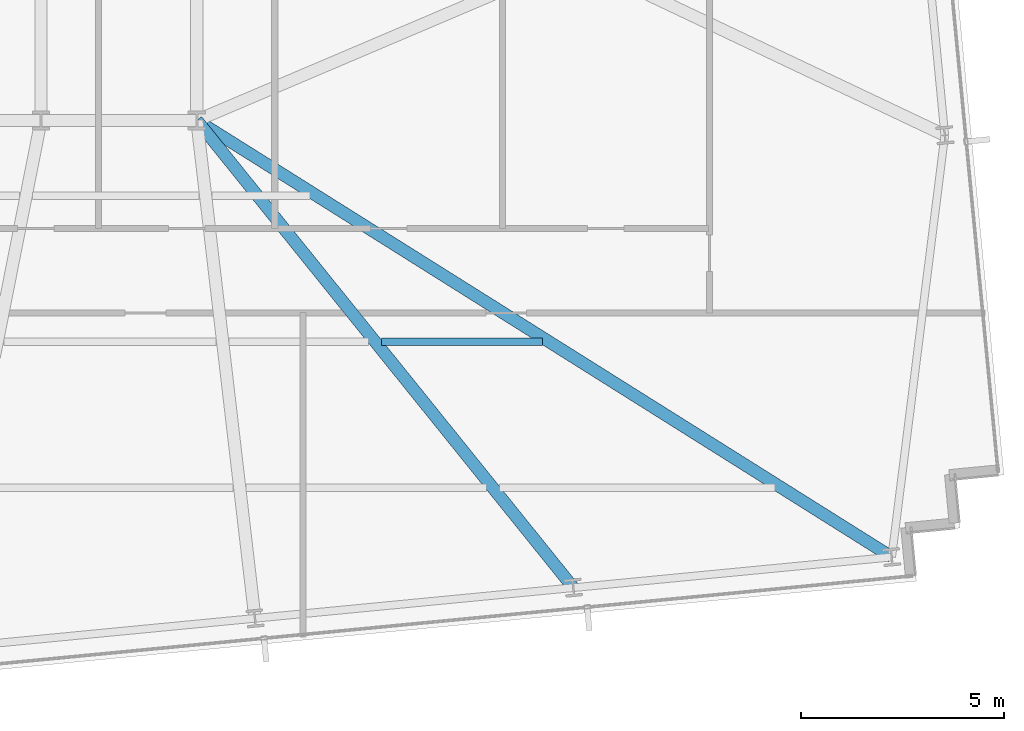
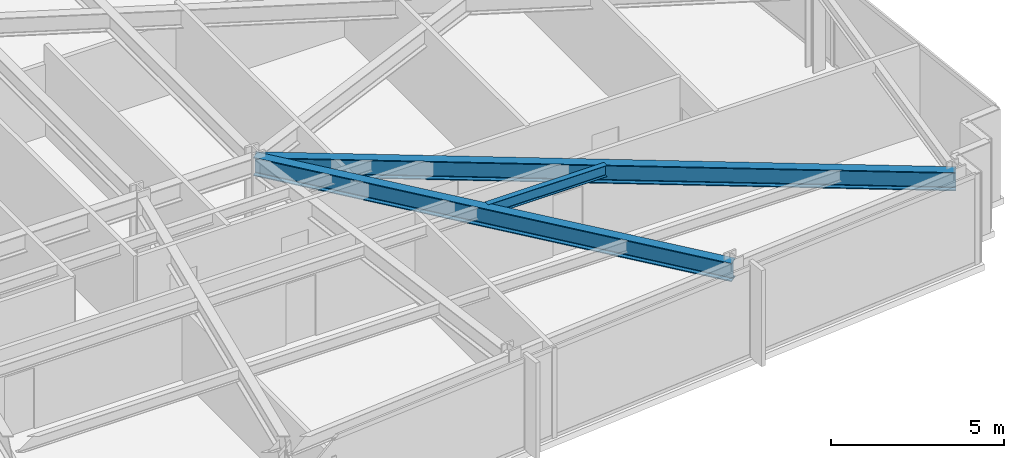
# One storey, part 13 of 33: 3 beams.
"""IFC4 building model written with IfcOpenShell, lengths in metres."""

from ifc_helpers import new_model, si_unit, direction, frame, origin, origin_2d, place, context, subcontext, project, spatial, i_section, extrude, material, material_profile, profile_set, type_object, element, save


model = new_model("IFC4")

# Units and contexts
model_context = context("Model", 3, precision=1e-05, world=origin(), true_north=direction((0.0, 1.0)))
body_context = subcontext(model_context, "Body", "Model", "MODEL_VIEW")
ifc_project = project(units=[si_unit("LENGTHUNIT", "METRE"), si_unit("AREAUNIT", "SQUARE_METRE"), si_unit("VOLUMEUNIT", "CUBIC_METRE"), si_unit("PLANEANGLEUNIT", "RADIAN"), si_unit("MASSUNIT", "GRAM", prefix="KILO")], contexts=[model_context])

# Site, building, storey
site_placement = place(None, origin())
site = spatial("IfcSite", under=ifc_project, at=site_placement, CompositionType="ELEMENT")
building_placement = place(site_placement, origin())
building = spatial("IfcBuilding", under=site, at=building_placement, Name="Yelkora Congress Tower", CompositionType="ELEMENT")
storey_placement = place(building_placement, frame((0.0, 0.0, 127.10009765625)))
storey = spatial("IfcBuildingStorey", under=building, at=storey_placement, Name="L34", CompositionType="ELEMENT", Elevation=127.10009765625)

# Beams
ifc_material = material(Name="Steel S355J2", Category="steel")
ifc_material_profile_1 = material_profile(ifc_material, i_section(OverallWidth=0.300048828125, OverallDepth=0.64990234375, WebThickness=0.01611328125, FlangeThickness=0.031005859375, FilletRadius=0.027099609375, at=origin_2d()), Name="HEB 650")
ifc_profile_set_1 = profile_set([ifc_material_profile_1], Name="Steel S355J2")
beam_type_1 = type_object("IfcBeamType", Name="BM-GIRD-HEB650", PredefinedType="BEAM", material=ifc_profile_set_1)
beam_1_placement = place(storey_placement, frame((66.882568359375, 13.67919921875, 2.85498046875), z_axis=(-0.627405981031, 0.778692323686, 0.0), x_axis=(-0.778692323686, -0.627405981031, 0.0)))
element("IfcBeam", 1, at=beam_1_placement, inside=storey, type_object=beam_type_1, Name="L34 Primary Frame Girder S07", PredefinedType="BEAM", context=body_context, shape_type="SweptSolid", body=[
    extrude(i_section(OverallWidth=0.300048828125, OverallDepth=0.64990234375, WebThickness=0.01611328125, FlangeThickness=0.031005859375, FilletRadius=0.027099609375, at=origin_2d()), origin(), (0.0, 0.0, 1.0), 14.794921875),
])
beam_2_placement = place(storey_placement, frame((74.73193359375, 14.43505859375, 2.85498046875), z_axis=(-0.846718708798, 0.532040814385, 0.0), x_axis=(-0.532040814385, -0.846718708798, 0.0)))
element("IfcBeam", 2, at=beam_2_placement, inside=storey, type_object=beam_type_1, Name="L34 Primary Frame Girder S08", PredefinedType="BEAM", context=body_context, shape_type="SweptSolid", body=[
    extrude(i_section(OverallWidth=0.300048828125, OverallDepth=0.64990234375, WebThickness=0.01611328125, FlangeThickness=0.031005859375, FilletRadius=0.027099609375, at=origin_2d()), origin(), (0.0, 0.0, 1.0), 20.233154296875),
])
ifc_material_profile_2 = material_profile(ifc_material, i_section(OverallWidth=0.179931640625, OverallDepth=0.39990234375, WebThickness=0.008544921875, FlangeThickness=0.013427734375, FilletRadius=0.02099609375, at=origin_2d()), Name="IPE 400")
ifc_profile_set_2 = profile_set([ifc_material_profile_2], Name="Steel S355J2")
beam_type_2 = type_object("IfcBeamType", Name="BM-JOIST-IPE400", PredefinedType="JOIST", material=ifc_profile_set_2)
beam_3_placement = place(storey_placement, frame((62.15576171875, 19.744384765625, 2.97998046875), z_axis=(1.0, 0.0, 0.0), x_axis=(0.0, 1.0, 0.0)))
element("IfcBeam", 3, at=beam_3_placement, inside=storey, type_object=beam_type_2, Name="L34 Composite Floor Joist 17", PredefinedType="JOIST", context=body_context, shape_type="SweptSolid", body=[
    extrude(i_section(OverallWidth=0.179931640625, OverallDepth=0.39990234375, WebThickness=0.008544921875, FlangeThickness=0.013427734375, FilletRadius=0.02099609375, at=origin_2d()), origin(), (0.0, 0.0, 1.0), 3.966552734375),
])

save(model, "model.ifc")
